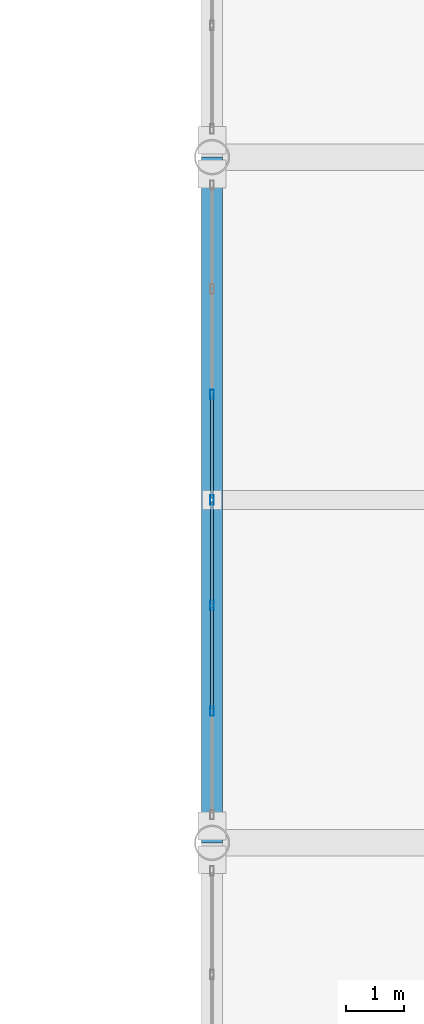
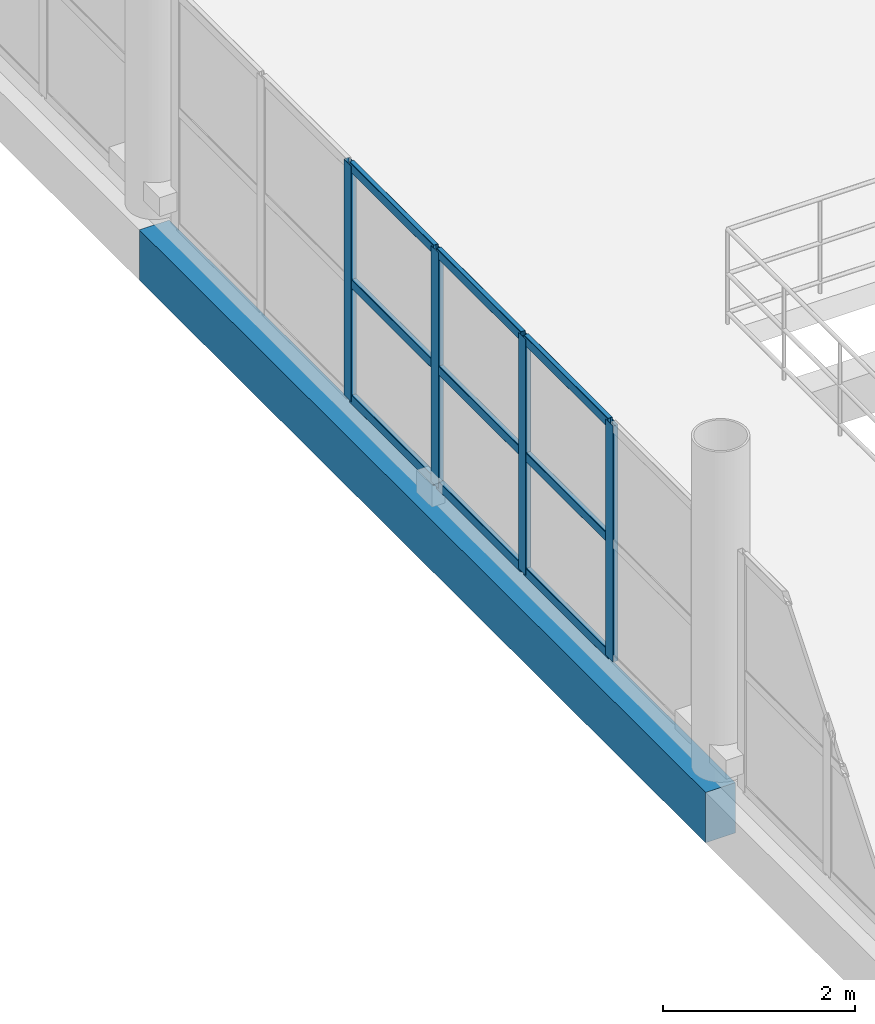
# One storey, part 69 of 157: 13 members, 1 beam, 1 element without a shape of its own.
"""IFC4 building model written with IfcOpenShell, lengths in metres."""

from ifc_helpers import new_model, si_unit, direction, frame, origin, origin_2d, place, context, subcontext, project, spatial, rectangle, hollow_rectangle, extrude, material, material_profile, profile_set, type_object, element, aggregate, save


model = new_model("IFC4")

# Units and contexts
model_context = context("Model", 3, precision=1e-05, world=origin(), true_north=direction((0.0, 1.0)))
body_context = subcontext(model_context, "Body", "Model", "MODEL_VIEW")
ifc_project = project(units=[si_unit("LENGTHUNIT", "METRE"), si_unit("AREAUNIT", "SQUARE_METRE"), si_unit("VOLUMEUNIT", "CUBIC_METRE"), si_unit("PLANEANGLEUNIT", "RADIAN"), si_unit("MASSUNIT", "GRAM", prefix="KILO")], contexts=[model_context])

# Site, building, storey
site_placement = place(None, origin())
site = spatial("IfcSite", under=ifc_project, at=site_placement, CompositionType="ELEMENT")
building_placement = place(site_placement, origin())
building = spatial("IfcBuilding", under=site, at=building_placement, Name="Brelvane Convention Centre", CompositionType="ELEMENT")
storey_placement = place(building_placement, frame((0.0, 0.0, 10.800048828125)))
storey = spatial("IfcBuildingStorey", under=building, at=storey_placement, Name="L02", CompositionType="ELEMENT", Elevation=10.800048828125)

# Curtain wall, members
ifc_material_1 = material(Name="Anodised Aluminium Alloy 6063-T6", Category="aluminium")
curtain_wall_type = type_object("IfcCurtainWallType", Name="Curtain Wall CW-CONC", PredefinedType="USERDEFINED", material=ifc_material_1)
curtain_wall_placement = place(storey_placement, origin())
curtain_wall = element("IfcCurtainWall", 1, at=curtain_wall_placement, inside=storey, type_object=curtain_wall_type, Name="Curtain Wall CW-CONC L02-GAL-ATRIUM-W-3", ObjectType="UNITISED", PredefinedType="USERDEFINED")
ifc_material_2 = material(Name="Anodised Aluminium Alloy 6063-T6", Category="aluminium")
ifc_material_profile_1 = material_profile(ifc_material_2, hollow_rectangle(XDim=0.06494140625, YDim=0.159912109375, WallThickness=0.00390625, InnerFilletRadius=0.00390625, OuterFilletRadius=0.008056640625, at=origin_2d()), Name="ALU-M 160x65x4.0")
ifc_profile_set_1 = profile_set([ifc_material_profile_1], Name="Anodised Aluminium Alloy 6063-T6")
member_type_1 = type_object("IfcMemberType", Name="Curtain Mullion CW-M3", PredefinedType="MULLION", material=ifc_profile_set_1)
member_1_placement = place(storey_placement, frame((142.800048828125, 66.466552734375, 0.0), z_axis=(0.0, 0.0, 1.0), x_axis=(-1.0, 0.0, 0.0)))
member_1 = element("IfcMember", 2, at=member_1_placement, type_object=member_type_1, Name="CW-CONC mullion 2", PredefinedType="MULLION", context=body_context, shape_type="SweptSolid", body=[
    extrude(hollow_rectangle(XDim=0.06494140625, YDim=0.159912109375, WallThickness=0.00390625, InnerFilletRadius=0.00390625, OuterFilletRadius=0.008056640625, at=origin_2d()), origin(), (0.0, 0.0, 1.0), 3.0),
])
member_2_placement = place(storey_placement, frame((142.800048828125, 68.283447265625, 0.0), z_axis=(0.0, 0.0, 1.0), x_axis=(-1.0, 0.0, 0.0)))
member_2 = element("IfcMember", 3, at=member_2_placement, type_object=member_type_1, Name="CW-CONC mullion 3", PredefinedType="MULLION", context=body_context, shape_type="SweptSolid", body=[
    extrude(hollow_rectangle(XDim=0.06494140625, YDim=0.159912109375, WallThickness=0.00390625, InnerFilletRadius=0.00390625, OuterFilletRadius=0.008056640625, at=origin_2d()), origin(), (0.0, 0.0, 1.0), 3.0),
])
member_3_placement = place(storey_placement, frame((142.800048828125, 70.10009765625, 0.0), z_axis=(0.0, 0.0, 1.0), x_axis=(-1.0, 0.0, 0.0)))
member_3 = element("IfcMember", 4, at=member_3_placement, type_object=member_type_1, Name="CW-CONC mullion 4", PredefinedType="MULLION", context=body_context, shape_type="SweptSolid", body=[
    extrude(hollow_rectangle(XDim=0.06494140625, YDim=0.159912109375, WallThickness=0.00390625, InnerFilletRadius=0.00390625, OuterFilletRadius=0.008056640625, at=origin_2d()), origin(), (0.0, 0.0, 1.0), 3.0),
])
member_4_placement = place(storey_placement, frame((142.800048828125, 71.916748046875, 0.0), z_axis=(0.0, 0.0, 1.0), x_axis=(-1.0, 0.0, 0.0)))
member_4 = element("IfcMember", 5, at=member_4_placement, type_object=member_type_1, Name="CW-CONC mullion 5", PredefinedType="MULLION", context=body_context, shape_type="SweptSolid", body=[
    extrude(hollow_rectangle(XDim=0.06494140625, YDim=0.159912109375, WallThickness=0.00390625, InnerFilletRadius=0.00390625, OuterFilletRadius=0.008056640625, at=origin_2d()), origin(), (0.0, 0.0, 1.0), 3.0),
])
ifc_material_3 = material(Name="Anodised Aluminium Alloy 6063-T6", Category="aluminium")
ifc_material_profile_2 = material_profile(ifc_material_3, hollow_rectangle(XDim=0.06005859375, YDim=0.1201171875, WallThickness=0.00390625, InnerFilletRadius=0.00390625, OuterFilletRadius=0.008056640625, at=origin_2d()), Name="ALU-T 120x60x4.0")
ifc_profile_set_2 = profile_set([ifc_material_profile_2], Name="Anodised Aluminium Alloy 6063-T6")
member_type_2 = type_object("IfcMemberType", Name="Curtain Transom CW-T3", PredefinedType="USERDEFINED", material=ifc_profile_set_2)
member_5_placement = place(storey_placement, frame((142.800048828125, 66.499267578125, 0.030029296875), z_axis=(0.0, 1.0, 0.0), x_axis=(-1.0, 0.0, 0.0)))
member_5 = element("IfcMember", 6, at=member_5_placement, type_object=member_type_2, Name="CW-CONC transom 2.1", ObjectType="TRANSOM", PredefinedType="USERDEFINED", context=body_context, shape_type="SweptSolid", body=[
    extrude(hollow_rectangle(XDim=0.06005859375, YDim=0.1201171875, WallThickness=0.00390625, InnerFilletRadius=0.00390625, OuterFilletRadius=0.008056640625, at=origin_2d()), origin(), (0.0, 0.0, 1.0), 1.75146484375),
])
member_6_placement = place(storey_placement, frame((142.800048828125, 66.499267578125, 1.5), z_axis=(0.0, 1.0, 0.0), x_axis=(-1.0, 0.0, 0.0)))
member_6 = element("IfcMember", 7, at=member_6_placement, type_object=member_type_2, Name="CW-CONC transom 2.2", ObjectType="TRANSOM", PredefinedType="USERDEFINED", context=body_context, shape_type="SweptSolid", body=[
    extrude(hollow_rectangle(XDim=0.06005859375, YDim=0.1201171875, WallThickness=0.00390625, InnerFilletRadius=0.00390625, OuterFilletRadius=0.008056640625, at=origin_2d()), origin(), (0.0, 0.0, 1.0), 1.75146484375),
])
member_7_placement = place(storey_placement, frame((142.800048828125, 66.499267578125, 2.969970703125), z_axis=(0.0, 1.0, 0.0), x_axis=(-1.0, 0.0, 0.0)))
member_7 = element("IfcMember", 8, at=member_7_placement, type_object=member_type_2, Name="CW-CONC transom 2.3", ObjectType="TRANSOM", PredefinedType="USERDEFINED", context=body_context, shape_type="SweptSolid", body=[
    extrude(hollow_rectangle(XDim=0.06005859375, YDim=0.1201171875, WallThickness=0.00390625, InnerFilletRadius=0.00390625, OuterFilletRadius=0.008056640625, at=origin_2d()), origin(), (0.0, 0.0, 1.0), 1.75146484375),
])
member_8_placement = place(storey_placement, frame((142.800048828125, 68.31591796875, 0.030029296875), z_axis=(0.0, 1.0, 0.0), x_axis=(-1.0, 0.0, 0.0)))
member_8 = element("IfcMember", 9, at=member_8_placement, type_object=member_type_2, Name="CW-CONC transom 3.1", ObjectType="TRANSOM", PredefinedType="USERDEFINED", context=body_context, shape_type="SweptSolid", body=[
    extrude(hollow_rectangle(XDim=0.06005859375, YDim=0.1201171875, WallThickness=0.00390625, InnerFilletRadius=0.00390625, OuterFilletRadius=0.008056640625, at=origin_2d()), origin(), (0.0, 0.0, 1.0), 1.75146484375),
])
member_9_placement = place(storey_placement, frame((142.800048828125, 68.31591796875, 1.5), z_axis=(0.0, 1.0, 0.0), x_axis=(-1.0, 0.0, 0.0)))
member_9 = element("IfcMember", 10, at=member_9_placement, type_object=member_type_2, Name="CW-CONC transom 3.2", ObjectType="TRANSOM", PredefinedType="USERDEFINED", context=body_context, shape_type="SweptSolid", body=[
    extrude(hollow_rectangle(XDim=0.06005859375, YDim=0.1201171875, WallThickness=0.00390625, InnerFilletRadius=0.00390625, OuterFilletRadius=0.008056640625, at=origin_2d()), origin(), (0.0, 0.0, 1.0), 1.75146484375),
])
member_10_placement = place(storey_placement, frame((142.800048828125, 68.31591796875, 2.969970703125), z_axis=(0.0, 1.0, 0.0), x_axis=(-1.0, 0.0, 0.0)))
member_10 = element("IfcMember", 11, at=member_10_placement, type_object=member_type_2, Name="CW-CONC transom 3.3", ObjectType="TRANSOM", PredefinedType="USERDEFINED", context=body_context, shape_type="SweptSolid", body=[
    extrude(hollow_rectangle(XDim=0.06005859375, YDim=0.1201171875, WallThickness=0.00390625, InnerFilletRadius=0.00390625, OuterFilletRadius=0.008056640625, at=origin_2d()), origin(), (0.0, 0.0, 1.0), 1.75146484375),
])
member_11_placement = place(storey_placement, frame((142.800048828125, 70.132568359375, 0.030029296875), z_axis=(0.0, 1.0, 0.0), x_axis=(-1.0, 0.0, 0.0)))
member_11 = element("IfcMember", 12, at=member_11_placement, type_object=member_type_2, Name="CW-CONC transom 4.1", ObjectType="TRANSOM", PredefinedType="USERDEFINED", context=body_context, shape_type="SweptSolid", body=[
    extrude(hollow_rectangle(XDim=0.06005859375, YDim=0.1201171875, WallThickness=0.00390625, InnerFilletRadius=0.00390625, OuterFilletRadius=0.008056640625, at=origin_2d()), origin(), (0.0, 0.0, 1.0), 1.751708984375),
])
member_12_placement = place(storey_placement, frame((142.800048828125, 70.132568359375, 1.5), z_axis=(0.0, 1.0, 0.0), x_axis=(-1.0, 0.0, 0.0)))
member_12 = element("IfcMember", 13, at=member_12_placement, type_object=member_type_2, Name="CW-CONC transom 4.2", ObjectType="TRANSOM", PredefinedType="USERDEFINED", context=body_context, shape_type="SweptSolid", body=[
    extrude(hollow_rectangle(XDim=0.06005859375, YDim=0.1201171875, WallThickness=0.00390625, InnerFilletRadius=0.00390625, OuterFilletRadius=0.008056640625, at=origin_2d()), origin(), (0.0, 0.0, 1.0), 1.751708984375),
])
member_13_placement = place(storey_placement, frame((142.800048828125, 70.132568359375, 2.969970703125), z_axis=(0.0, 1.0, 0.0), x_axis=(-1.0, 0.0, 0.0)))
member_13 = element("IfcMember", 14, at=member_13_placement, type_object=member_type_2, Name="CW-CONC transom 4.3", ObjectType="TRANSOM", PredefinedType="USERDEFINED", context=body_context, shape_type="SweptSolid", body=[
    extrude(hollow_rectangle(XDim=0.06005859375, YDim=0.1201171875, WallThickness=0.00390625, InnerFilletRadius=0.00390625, OuterFilletRadius=0.008056640625, at=origin_2d()), origin(), (0.0, 0.0, 1.0), 1.751708984375),
])
aggregate(curtain_wall, [member_1, member_2, member_3, member_4, member_5, member_6, member_7, member_8, member_9, member_10, member_11, member_12, member_13])

# Beam
ifc_material_4 = material(Name="Concrete M40", Category="concrete")
ifc_material_profile_3 = material_profile(ifc_material_4, rectangle(XDim=0.360107421875, YDim=0.639892578125, at=origin_2d()), Name="RC 360x640")
ifc_profile_set_3 = profile_set([ifc_material_profile_3], Name="Concrete M40")
beam_type = type_object("IfcBeamType", Name="RC Spandrel SP-RC3 (RC 360x640)", PredefinedType="SPANDREL", material=ifc_profile_set_3)
beam_placement = place(storey_placement, frame((142.800048828125, 64.199951171875, -0.60009765625), z_axis=(0.0, 1.0, 0.0), x_axis=(-1.0, 0.0, 0.0)))
element("IfcBeam", 15, at=beam_placement, inside=storey, type_object=beam_type, Name="L02 Girder 15/G-H", PredefinedType="SPANDREL", context=body_context, shape_type="SweptSolid", body=[
    extrude(rectangle(XDim=0.360107421875, YDim=0.639892578125, at=origin_2d()), origin(), (0.0, 0.0, 1.0), 11.800048828125),
])

save(model, "model.ifc")
